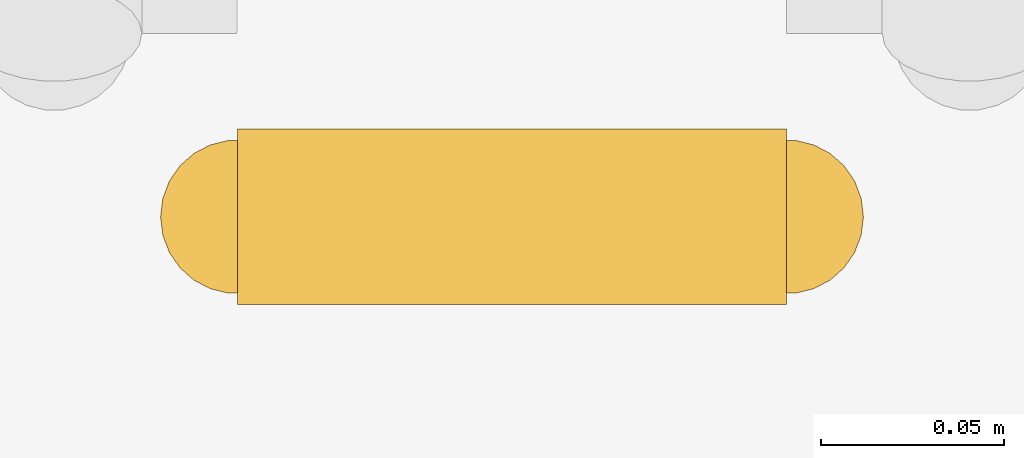
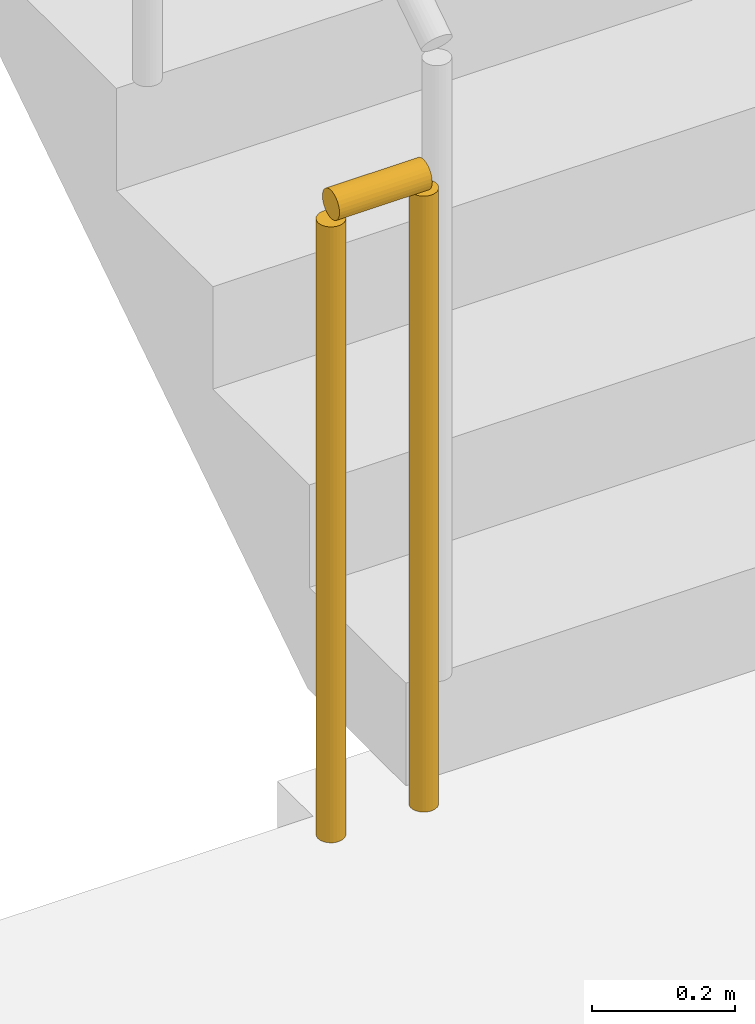
# One storey, part 14 of 19: 1 railing.
"""IFC4 building model written with IfcOpenShell, lengths in metres."""

from ifc_helpers import new_model, si_unit, direction, frame, origin, origin_2d, place, context, subcontext, project, spatial, circle, extrude, material, type_object, element, save


model = new_model("IFC4")

# Units and contexts
model_context = context("Model", 3, precision=1e-05, world=origin(), true_north=direction((0.0, 1.0)))
body_context = subcontext(model_context, "Body", "Model", "MODEL_VIEW")
ifc_project = project(units=[si_unit("LENGTHUNIT", "METRE"), si_unit("AREAUNIT", "SQUARE_METRE"), si_unit("VOLUMEUNIT", "CUBIC_METRE"), si_unit("PLANEANGLEUNIT", "RADIAN"), si_unit("MASSUNIT", "GRAM", prefix="KILO")], contexts=[model_context])

# Site, building, storey
site_placement = place(None, origin())
site = spatial("IfcSite", under=ifc_project, at=site_placement, CompositionType="ELEMENT")
building_placement = place(site_placement, origin())
building = spatial("IfcBuilding", under=site, at=building_placement, Name="Saffron Iwan Residences", CompositionType="ELEMENT")
storey_placement = place(building_placement, frame((0.0, 0.0, 229.0)))
storey = spatial("IfcBuildingStorey", under=building, at=storey_placement, Name="L61", CompositionType="ELEMENT", Elevation=229.0)

# Railing
ifc_material = material(Name="Steel S355", Category="steel")
railing_type = type_object("IfcRailingType", Name="Stair guard 1100", PredefinedType="GUARDRAIL", material=ifc_material)
railing_placement = place(storey_placement, frame((31.25, 67.800048828125, 0.0)))
element("IfcRailing", 1, at=railing_placement, inside=storey, type_object=railing_type, Name="L61 ST-W stair guard 2", PredefinedType="GUARDRAIL", context=body_context, shape_type="SweptSolid", body=[
    extrude(circle(Radius=0.02392578125, at=origin_2d()), frame((0.0, 0.0, 1.076171875), z_axis=(-1.0, 0.0, 0.0), x_axis=(0.0, -1.0, 0.0)), (0.0, 0.0, 1.0), 0.14990234375),
    extrude(circle(Radius=0.02099609375, at=origin_2d()), origin(), (0.0, 0.0, 1.0), 1.052001953125),
    extrude(circle(Radius=0.02099609375, at=origin_2d()), frame((-0.14990234375, 0.0, 0.0)), (0.0, 0.0, 1.0), 1.052001953125),
])

save(model, "model.ifc")
